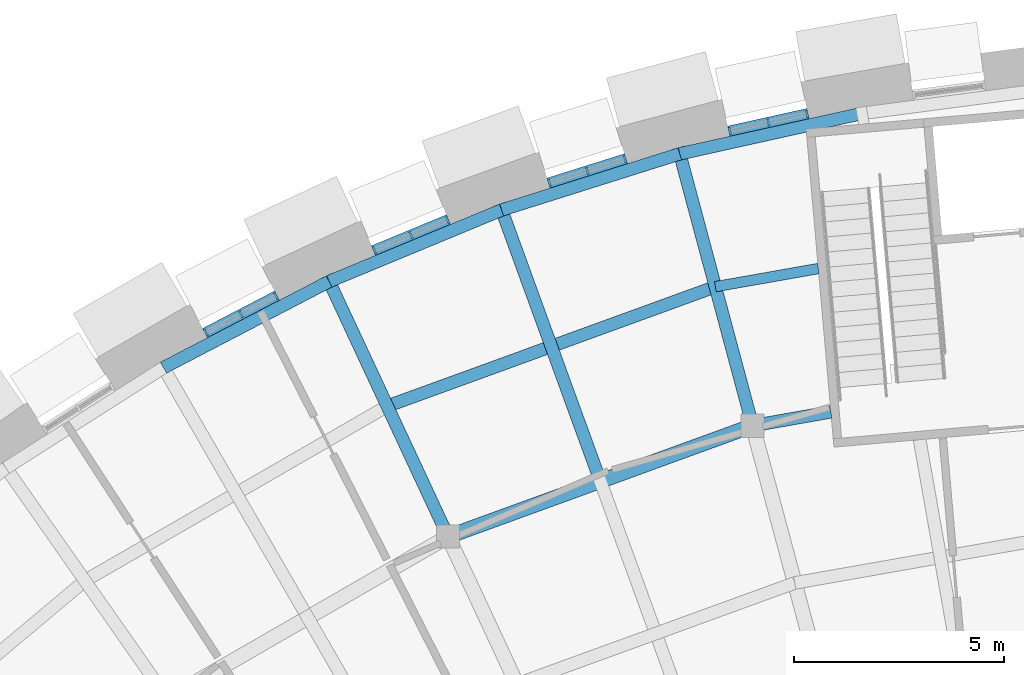
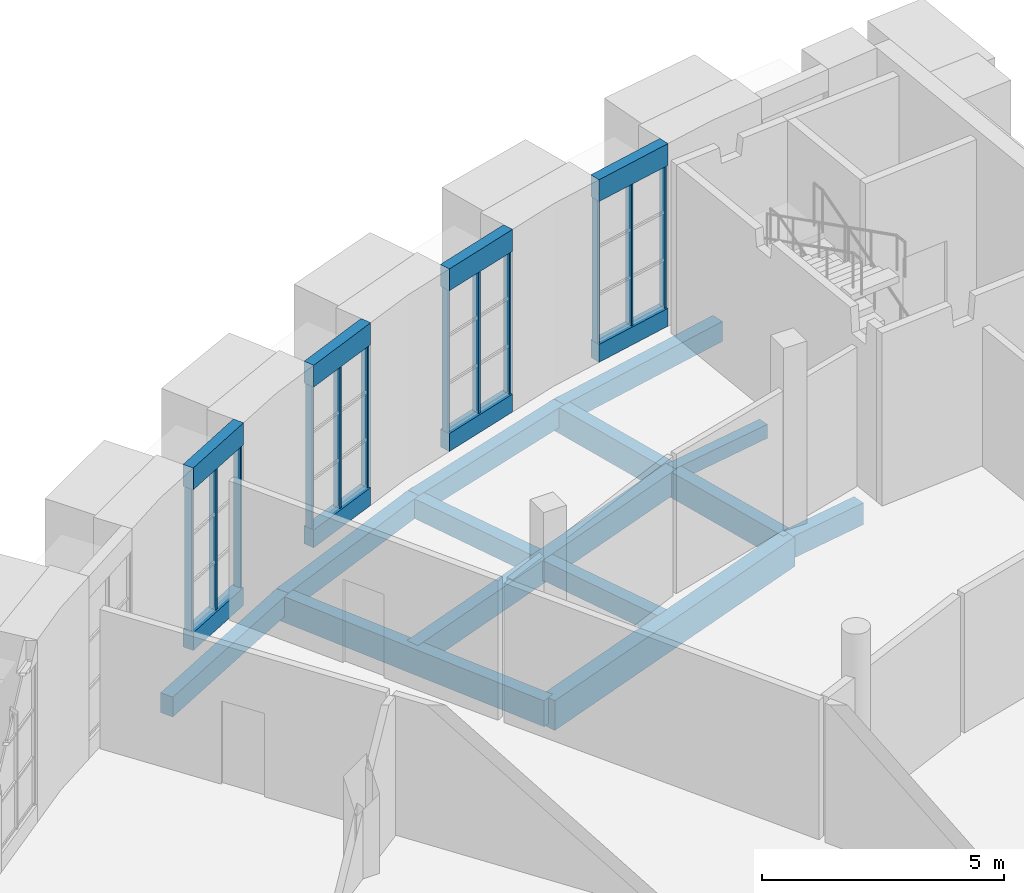
# One storey, part 11 of 50: 19 beams, 12 members, 4 elements without a shape of their own.
"""IFC4 building model written with IfcOpenShell, lengths in metres."""

from ifc_helpers import new_model, si_unit, direction, frame, origin, origin_2d, place, context, subcontext, project, spatial, rectangle, extrude, material, layer, layer_set, material_profile, profile_set, type_object, element, aggregate, save


model = new_model("IFC4")

# Units and contexts
model_context = context("Model", 3, precision=1e-05, world=origin(), true_north=direction((0.0, 1.0)))
body_context = subcontext(model_context, "Body", "Model", "MODEL_VIEW")
ifc_project = project(units=[si_unit("LENGTHUNIT", "METRE"), si_unit("AREAUNIT", "SQUARE_METRE"), si_unit("VOLUMEUNIT", "CUBIC_METRE"), si_unit("PLANEANGLEUNIT", "RADIAN"), si_unit("MASSUNIT", "GRAM", prefix="KILO")], contexts=[model_context])

# Site, building, storey
site_placement = place(None, origin())
site = spatial("IfcSite", under=ifc_project, at=site_placement, CompositionType="ELEMENT")
building_placement = place(site_placement, origin())
building = spatial("IfcBuilding", under=site, at=building_placement, Name="Volute Hill Aquarium", CompositionType="ELEMENT")
storey_placement = place(building_placement, frame((0.0, 0.0, 9.199951171875)))
storey = spatial("IfcBuildingStorey", under=building, at=storey_placement, Name="L03", CompositionType="ELEMENT", Elevation=9.199951171875)

# Beams
ifc_material_1 = material(Name="Concrete C35/45", Category="concrete")
ifc_material_profile_1 = material_profile(ifc_material_1, rectangle(XDim=0.300048828125, YDim=0.550048828125, at=origin_2d()), Name="RC beam 300x550")
ifc_profile_set_1 = profile_set([ifc_material_profile_1], Name="Concrete C35/45")
beam_type_1 = type_object("IfcBeamType", Name="Beam 300x550 C35/45", PredefinedType="BEAM", material=ifc_profile_set_1)
beam_1_placement = place(storey_placement, frame((-9.59033203125, 43.070556640625, -0.594970703125), z_axis=(-0.984808243338, -0.173645396866, 0.0), x_axis=(0.173645396866, -0.984808243338, 0.0)))
element("IfcBeam", 1, at=beam_1_placement, inside=storey, type_object=beam_type_1, Name="bm/S6/L03/ring3.27", PredefinedType="BEAM", context=body_context, shape_type="SweptSolid", body=[
    extrude(rectangle(XDim=0.300048828125, YDim=0.550048828125, at=origin_2d()), origin(), (0.0, 0.0, 1.0), 1.89111328125),
])
ifc_material_2 = material(Name="Concrete C35/45", Category="concrete")
ifc_material_profile_2 = material_profile(ifc_material_2, rectangle(XDim=0.300048828125, YDim=0.64990234375, at=origin_2d()), Name="RC beam 300x650")
ifc_profile_set_2 = profile_set([ifc_material_profile_2], Name="Concrete C35/45")
beam_type_2 = type_object("IfcBeamType", Name="Beam 300x650 C35/45", PredefinedType="BEAM", material=ifc_profile_set_2)
beam_2_placement = place(storey_placement, frame((-11.45263671875, 42.7421875, -0.64501953125), z_axis=(-0.258820408031, 0.965925461092, 0.0), x_axis=(-0.965925461092, -0.258820408031, 0.0)))
element("IfcBeam", 2, at=beam_2_placement, inside=storey, type_object=beam_type_2, Name="bm/S6/L03/rad1.4", PredefinedType="BEAM", context=body_context, shape_type="SweptSolid", body=[
    extrude(rectangle(XDim=0.300048828125, YDim=0.64990234375, at=origin_2d()), origin(), (0.0, 0.0, 1.0), 6.85009765625),
])
beam_3_placement = place(storey_placement, frame((-18.700927734375, 40.10400390625, -0.64501953125), z_axis=(-0.422596672801, 0.906317853812, 0.0), x_axis=(-0.906317853812, -0.422596672801, 0.0)))
element("IfcBeam", 3, at=beam_3_placement, inside=storey, type_object=beam_type_2, Name="bm/S6/L03/rad2.8", PredefinedType="BEAM", context=body_context, shape_type="SweptSolid", body=[
    extrude(rectangle(XDim=0.300048828125, YDim=0.64990234375, at=origin_2d()), origin(), (0.0, 0.0, 1.0), 6.849853515625),
])
ifc_material_3 = material(Name="Concrete C35/45", Category="concrete")
ifc_material_profile_3 = material_profile(ifc_material_3, rectangle(XDim=0.35009765625, YDim=0.75, at=origin_2d()), Name="RC beam 350x750")
ifc_profile_set_3 = profile_set([ifc_material_profile_3], Name="Concrete C35/45")
beam_type_3 = type_object("IfcBeamType", Name="Beam 350x750 C35/45", PredefinedType="BEAM", material=ifc_profile_set_3)
beam_4_placement = place(storey_placement, frame((-11.45263671875, 42.7421875, -0.695068359375), z_axis=(-0.939691728504, -0.34202259484, 0.0), x_axis=(0.34202259484, -0.939691728504, 0.0)))
element("IfcBeam", 4, at=beam_4_placement, inside=storey, type_object=beam_type_3, Name="bm/S6/L03/ring3.28", PredefinedType="BEAM", context=body_context, shape_type="SweptSolid", body=[
    extrude(rectangle(XDim=0.35009765625, YDim=0.75, at=origin_2d()), origin(), (0.0, 0.0, 1.0), 7.71337890625),
])

# Curtain wall, members
ifc_material_4 = material(Name="Aluminium", Category="aluminium")
ifc_layer = layer(ifc_material_4, 0.25)
ifc_layer_set = layer_set([ifc_layer], Name="Curtain wall niche S6 module 967")
curtain_wall_type = type_object("IfcCurtainWallType", Name="Curtain wall niche S6 module 967", PredefinedType="NOTDEFINED", material=ifc_layer_set)
curtain_wall_1_placement = place(storey_placement, origin())
curtain_wall_1 = element("IfcCurtainWall", 5, at=curtain_wall_1_placement, inside=storey, type_object=curtain_wall_type, Name="Curtain wall CW S6 L03 2", PredefinedType="NOTDEFINED")
ifc_material_5 = material(Name="Aluminium", Category="aluminium")
ifc_material_profile_4 = material_profile(ifc_material_5, rectangle(XDim=0.169921875, YDim=0.050048828125, at=origin_2d()), Name="Curtain wall mullion S6 50x170")
ifc_profile_set_4 = profile_set([ifc_material_profile_4], Name="Aluminium")
member_type = type_object("IfcMemberType", Name="Curtain wall mullion S6 50x170", PredefinedType="MULLION", material=ifc_profile_set_4)
member_1_placement = place(storey_placement, frame((-10.156982421875, 50.166748046875, 0.449951171875), z_axis=(0.0, 0.0, 1.0), x_axis=(0.216429433084, -0.976298264105, 0.0)))
member_1 = element("IfcMember", 6, at=member_1_placement, type_object=member_type, Name="CW mullion 1", PredefinedType="MULLION", context=body_context, shape_type="SweptSolid", body=[
    extrude(rectangle(XDim=0.169921875, YDim=0.050048828125, at=origin_2d()), origin(), (0.0, 0.0, 1.0), 3.60009765625),
])
member_2_placement = place(storey_placement, frame((-11.07666015625, 49.962890625, 0.449951171875), z_axis=(0.0, 0.0, 1.0), x_axis=(0.216429433084, -0.976298264105, 0.0)))
member_2 = element("IfcMember", 7, at=member_2_placement, type_object=member_type, Name="CW mullion 2", PredefinedType="MULLION", context=body_context, shape_type="SweptSolid", body=[
    extrude(rectangle(XDim=0.169921875, YDim=0.050048828125, at=origin_2d()), origin(), (0.0, 0.0, 1.0), 3.60009765625),
])
member_3_placement = place(storey_placement, frame((-11.99609375, 49.759033203125, 0.449951171875), z_axis=(0.0, 0.0, 1.0), x_axis=(0.216429433084, -0.976298264105, 0.0)))
member_3 = element("IfcMember", 8, at=member_3_placement, type_object=member_type, Name="CW mullion 3", PredefinedType="MULLION", context=body_context, shape_type="SweptSolid", body=[
    extrude(rectangle(XDim=0.169921875, YDim=0.050048828125, at=origin_2d()), origin(), (0.0, 0.0, 1.0), 3.60009765625),
])
aggregate(curtain_wall_1, [member_1, member_2, member_3])

curtain_wall_2_placement = place(storey_placement, origin())
curtain_wall_2 = element("IfcCurtainWall", 9, at=curtain_wall_2_placement, inside=storey, type_object=curtain_wall_type, Name="Curtain wall CW S6 L03 3", PredefinedType="NOTDEFINED")
member_4_placement = place(storey_placement, frame((-14.49072265625, 49.090576171875, 0.449951171875), z_axis=(0.0, 0.0, 1.0), x_axis=(0.300706406582, -0.953716759337, 0.0)))
member_4 = element("IfcMember", 10, at=member_4_placement, type_object=member_type, Name="CW mullion 1", PredefinedType="MULLION", context=body_context, shape_type="SweptSolid", body=[
    extrude(rectangle(XDim=0.169921875, YDim=0.050048828125, at=origin_2d()), origin(), (0.0, 0.0, 1.0), 3.60009765625),
])
member_5_placement = place(storey_placement, frame((-15.388916015625, 48.807373046875, 0.449951171875), z_axis=(0.0, 0.0, 1.0), x_axis=(0.300706406582, -0.953716759337, 0.0)))
member_5 = element("IfcMember", 11, at=member_5_placement, type_object=member_type, Name="CW mullion 2", PredefinedType="MULLION", context=body_context, shape_type="SweptSolid", body=[
    extrude(rectangle(XDim=0.169921875, YDim=0.050048828125, at=origin_2d()), origin(), (0.0, 0.0, 1.0), 3.60009765625),
])
member_6_placement = place(storey_placement, frame((-16.287109375, 48.524169921875, 0.449951171875), z_axis=(0.0, 0.0, 1.0), x_axis=(0.300706406582, -0.953716759337, 0.0)))
member_6 = element("IfcMember", 12, at=member_6_placement, type_object=member_type, Name="CW mullion 3", PredefinedType="MULLION", context=body_context, shape_type="SweptSolid", body=[
    extrude(rectangle(XDim=0.169921875, YDim=0.050048828125, at=origin_2d()), origin(), (0.0, 0.0, 1.0), 3.60009765625),
])
aggregate(curtain_wall_2, [member_4, member_5, member_6])

curtain_wall_3_placement = place(storey_placement, origin())
curtain_wall_3 = element("IfcCurtainWall", 13, at=curtain_wall_3_placement, inside=storey, type_object=curtain_wall_type, Name="Curtain wall CW S6 L03 4", PredefinedType="NOTDEFINED")
member_7_placement = place(storey_placement, frame((-18.7138671875, 47.640869140625, 0.449951171875), z_axis=(0.0, 0.0, 1.0), x_axis=(0.382679860378, -0.923881012069, 0.0)))
member_7 = element("IfcMember", 14, at=member_7_placement, type_object=member_type, Name="CW mullion 1", PredefinedType="MULLION", context=body_context, shape_type="SweptSolid", body=[
    extrude(rectangle(XDim=0.169921875, YDim=0.050048828125, at=origin_2d()), origin(), (0.0, 0.0, 1.0), 3.60009765625),
])
member_8_placement = place(storey_placement, frame((-19.584228515625, 47.280517578125, 0.449951171875), z_axis=(0.0, 0.0, 1.0), x_axis=(0.382679860378, -0.923881012069, 0.0)))
member_8 = element("IfcMember", 15, at=member_8_placement, type_object=member_type, Name="CW mullion 2", PredefinedType="MULLION", context=body_context, shape_type="SweptSolid", body=[
    extrude(rectangle(XDim=0.169921875, YDim=0.050048828125, at=origin_2d()), origin(), (0.0, 0.0, 1.0), 3.60009765625),
])
member_9_placement = place(storey_placement, frame((-20.454345703125, 46.919921875, 0.449951171875), z_axis=(0.0, 0.0, 1.0), x_axis=(0.382679860378, -0.923881012069, 0.0)))
member_9 = element("IfcMember", 16, at=member_9_placement, type_object=member_type, Name="CW mullion 3", PredefinedType="MULLION", context=body_context, shape_type="SweptSolid", body=[
    extrude(rectangle(XDim=0.169921875, YDim=0.050048828125, at=origin_2d()), origin(), (0.0, 0.0, 1.0), 3.60009765625),
])
aggregate(curtain_wall_3, [member_7, member_8, member_9])

curtain_wall_4_placement = place(storey_placement, origin())
curtain_wall_4 = element("IfcCurtainWall", 17, at=curtain_wall_4_placement, inside=storey, type_object=curtain_wall_type, Name="Curtain wall CW S6 L03 5", PredefinedType="NOTDEFINED")
member_10_placement = place(storey_placement, frame((-22.794921875, 45.82861328125, 0.449951171875), z_axis=(0.0, 0.0, 1.0), x_axis=(0.461759580356, -0.88700512397, 0.0)))
member_10 = element("IfcMember", 18, at=member_10_placement, type_object=member_type, Name="CW mullion 1", PredefinedType="MULLION", context=body_context, shape_type="SweptSolid", body=[
    extrude(rectangle(XDim=0.169921875, YDim=0.050048828125, at=origin_2d()), origin(), (0.0, 0.0, 1.0), 3.60009765625),
])
member_11_placement = place(storey_placement, frame((-23.63037109375, 45.3935546875, 0.449951171875), z_axis=(0.0, 0.0, 1.0), x_axis=(0.461759580356, -0.88700512397, 0.0)))
member_11 = element("IfcMember", 19, at=member_11_placement, type_object=member_type, Name="CW mullion 2", PredefinedType="MULLION", context=body_context, shape_type="SweptSolid", body=[
    extrude(rectangle(XDim=0.169921875, YDim=0.050048828125, at=origin_2d()), origin(), (0.0, 0.0, 1.0), 3.60009765625),
])
member_12_placement = place(storey_placement, frame((-24.4658203125, 44.958740234375, 0.449951171875), z_axis=(0.0, 0.0, 1.0), x_axis=(0.461759580356, -0.88700512397, 0.0)))
member_12 = element("IfcMember", 20, at=member_12_placement, type_object=member_type, Name="CW mullion 3", PredefinedType="MULLION", context=body_context, shape_type="SweptSolid", body=[
    extrude(rectangle(XDim=0.169921875, YDim=0.050048828125, at=origin_2d()), origin(), (0.0, 0.0, 1.0), 3.60009765625),
])
aggregate(curtain_wall_4, [member_10, member_11, member_12])

# Beams
ifc_material_6 = material(Name="Concrete C35/45", Category="concrete")
ifc_material_profile_5 = material_profile(ifc_material_6, rectangle(XDim=0.300048828125, YDim=0.5, at=origin_2d()), Name="RC edge beam 300x500")
ifc_profile_set_5 = profile_set([ifc_material_profile_5], Name="Concrete C35/45")
beam_type_4 = type_object("IfcBeamType", Name="Edge beam 300x500 C35/45", PredefinedType="BEAM", material=ifc_profile_set_5)
beam_5_placement = place(storey_placement, frame((-8.847412109375, 50.17578125, -0.570068359375), z_axis=(-0.976300660498, -0.21641862284, 0.0), x_axis=(0.21641862284, -0.976300660498, 0.0)))
element("IfcBeam", 21, at=beam_5_placement, inside=storey, type_object=beam_type_4, Name="bm/S6/L03/edgeO.43", PredefinedType="BEAM", context=body_context, shape_type="SweptSolid", body=[
    extrude(rectangle(XDim=0.300048828125, YDim=0.5, at=origin_2d()), origin(), (0.0, 0.0, 1.0), 4.444580078125),
])
for number, where, z_axis, x_axis, name in (
    (22, (-13.186767578125, 49.2138671875, -0.570068359375), (-0.953709591964, -0.300729137591, 0.0), (0.300729137591, -0.953709591964, 0.0), "bm/S6/L03/edgeO.44"),
    (23, (-17.42578125, 47.877197265625, -0.570068359375), (-0.923880933045, -0.382680051161, 0.0), (0.382680051161, -0.923880933045, 0.0), "bm/S6/L03/edgeO.45"),
    (24, (-21.5322265625, 46.17626953125, -0.570068359375), (-0.887002673566, -0.461764287366, 0.0), (0.461764287366, -0.887002673566, 0.0), "bm/S6/L03/edgeO.46"),
):
    element("IfcBeam", number, at=place(storey_placement, frame(where, z_axis=z_axis, x_axis=x_axis)), inside=storey, type_object=beam_type_4, Name=name, PredefinedType="BEAM", context=body_context, shape_type="SweptSolid", body=[
        extrude(rectangle(XDim=0.300048828125, YDim=0.5, at=origin_2d()), origin(), (0.0, 0.0, 1.0), 4.44482421875),
    ])
ifc_material_7 = material(Name="Concrete C35/45", Category="concrete")
ifc_material_profile_6 = material_profile(ifc_material_7, rectangle(XDim=0.25, YDim=0.35009765625, at=origin_2d()), Name="RC joist 250x350")
ifc_profile_set_6 = profile_set([ifc_material_profile_6], Name="Concrete C35/45")
beam_type_5 = type_object("IfcBeamType", Name="Joist 250x350 C35/45", PredefinedType="BEAM", material=ifc_profile_set_6)
beam_6_placement = place(storey_placement, frame((-9.888916015625, 46.482666015625, -0.494873046875), z_axis=(-0.984801335043, -0.173684571844, 0.0), x_axis=(0.173684571844, -0.984801335043, 0.0)))
element("IfcBeam", 25, at=beam_6_placement, inside=storey, type_object=beam_type_5, Name="bm/S6/L03/jst16", PredefinedType="BEAM", context=body_context, shape_type="SweptSolid", body=[
    extrude(rectangle(XDim=0.25, YDim=0.35009765625, at=origin_2d()), origin(), (0.0, 0.0, 1.0), 2.488037109375),
])
ifc_material_8 = material(Name="Concrete C35/45", Category="concrete")
ifc_material_profile_7 = material_profile(ifc_material_8, rectangle(XDim=0.300048828125, YDim=0.5, at=origin_2d()), Name="RC joist 300x500")
ifc_profile_set_7 = profile_set([ifc_material_profile_7], Name="Concrete C35/45")
beam_type_6 = type_object("IfcBeamType", Name="Joist 300x500 C35/45", PredefinedType="BEAM", material=ifc_profile_set_7)
beam_7_placement = place(storey_placement, frame((-15.134521484375, 41.581298828125, -0.570068359375), z_axis=(-0.342006321172, 0.939697651523, 0.0), x_axis=(-0.939697651523, -0.342006321172, 0.0)))
element("IfcBeam", 26, at=beam_7_placement, inside=storey, type_object=beam_type_6, Name="bm/S6/L03/rjst7", PredefinedType="BEAM", context=body_context, shape_type="SweptSolid", body=[
    extrude(rectangle(XDim=0.300048828125, YDim=0.5, at=origin_2d()), origin(), (0.0, 0.0, 1.0), 6.85009765625),
])
ifc_material_9 = material(Name="Concrete C35/45", Category="concrete")
ifc_material_profile_8 = material_profile(ifc_material_9, rectangle(XDim=0.300048828125, YDim=0.60009765625, at=origin_2d()), Name="RC joist 300x600")
ifc_profile_set_8 = profile_set([ifc_material_profile_8], Name="Concrete C35/45")
beam_type_7 = type_object("IfcBeamType", Name="Joist 300x600 C35/45", PredefinedType="BEAM", material=ifc_profile_set_8)
beam_8_placement = place(storey_placement, frame((-12.339111328125, 46.050537109375, -0.619873046875), z_axis=(-0.939692166751, -0.342021390774, 0.0), x_axis=(0.342021390774, -0.939692166751, 0.0)))
element("IfcBeam", 27, at=beam_8_placement, inside=storey, type_object=beam_type_7, Name="bm/S6/L03/jst17", PredefinedType="BEAM", context=body_context, shape_type="SweptSolid", body=[
    extrude(rectangle(XDim=0.300048828125, YDim=0.60009765625, at=origin_2d()), origin(), (0.0, 0.0, 1.0), 8.310302734375),
])
ifc_material_10 = material(Name="Concrete C35/45", Category="concrete")
ifc_material_profile_9 = material_profile(ifc_material_10, rectangle(XDim=0.25, YDim=0.550048828125, at=origin_2d()), Name="RC beam 250x550")
ifc_profile_set_9 = profile_set([ifc_material_profile_9], Name="Concrete C35/45")
beam_type_8 = type_object("IfcBeamType", Name="Niche head beam RC 250x550 C35/45", PredefinedType="BEAM", material=ifc_profile_set_9)
for number, where, z_axis, x_axis, name in (
    (28, (-10.132568359375, 50.172119140625, 4.324951171875), (-0.97630573903, -0.216395711457, 0.0), (0.216395711457, -0.97630573903, 0.0), "Niche head beam OWB S6 L03 2"),
    (29, (-14.466796875, 49.09814453125, 4.324951171875), (-0.953708515851, -0.300732550272, 0.0), (0.300732550272, -0.953708515851, 0.0), "Niche head beam OWB S6 L03 3"),
    (30, (-18.69091796875, 47.650390625, 4.324951171875), (-0.923889122179, -0.382660280039, 0.0), (0.382660280039, -0.923889122179, 0.0), "Niche head beam OWB S6 L03 4"),
    (31, (-22.772705078125, 45.840087890625, 4.324951171875), (-0.887036898241, -0.461698539264, 0.0), (0.461698539264, -0.887036898241, 0.0), "Niche head beam OWB S6 L03 5"),
):
    element("IfcBeam", number, at=place(storey_placement, frame(where, z_axis=z_axis, x_axis=x_axis)), inside=storey, type_object=beam_type_8, Name=name, PredefinedType="BEAM", context=body_context, shape_type="SweptSolid", body=[
        extrude(rectangle(XDim=0.25, YDim=0.550048828125, at=origin_2d()), origin(), (0.0, 0.0, 1.0), 1.933837890625),
    ])
ifc_material_11 = material(Name="Concrete C35/45", Category="concrete")
ifc_material_profile_10 = material_profile(ifc_material_11, rectangle(XDim=0.25, YDim=0.449951171875, at=origin_2d()), Name="RC beam 250x450")
ifc_profile_set_10 = profile_set([ifc_material_profile_10], Name="Concrete C35/45")
beam_type_9 = type_object("IfcBeamType", Name="Niche sill beam RC 250x450 C35/45", PredefinedType="BEAM", material=ifc_profile_set_10)
for number, where, z_axis, x_axis, name in (
    (32, (-10.132568359375, 50.172119140625, 0.22509765625), (-0.97630573903, -0.216395711457, 0.0), (0.216395711457, -0.97630573903, 0.0), "Niche sill beam OWB S6 L03 2"),
    (33, (-14.466796875, 49.09814453125, 0.22509765625), (-0.953708515851, -0.300732550272, 0.0), (0.300732550272, -0.953708515851, 0.0), "Niche sill beam OWB S6 L03 3"),
    (34, (-18.69091796875, 47.650390625, 0.22509765625), (-0.923889122179, -0.382660280039, 0.0), (0.382660280039, -0.923889122179, 0.0), "Niche sill beam OWB S6 L03 4"),
    (35, (-22.772705078125, 45.840087890625, 0.22509765625), (-0.887036898241, -0.461698539264, 0.0), (0.461698539264, -0.887036898241, 0.0), "Niche sill beam OWB S6 L03 5"),
):
    element("IfcBeam", number, at=place(storey_placement, frame(where, z_axis=z_axis, x_axis=x_axis)), inside=storey, type_object=beam_type_9, Name=name, PredefinedType="BEAM", context=body_context, shape_type="SweptSolid", body=[
        extrude(rectangle(XDim=0.25, YDim=0.449951171875, at=origin_2d()), origin(), (0.0, 0.0, 1.0), 1.933837890625),
    ])

save(model, "model.ifc")
